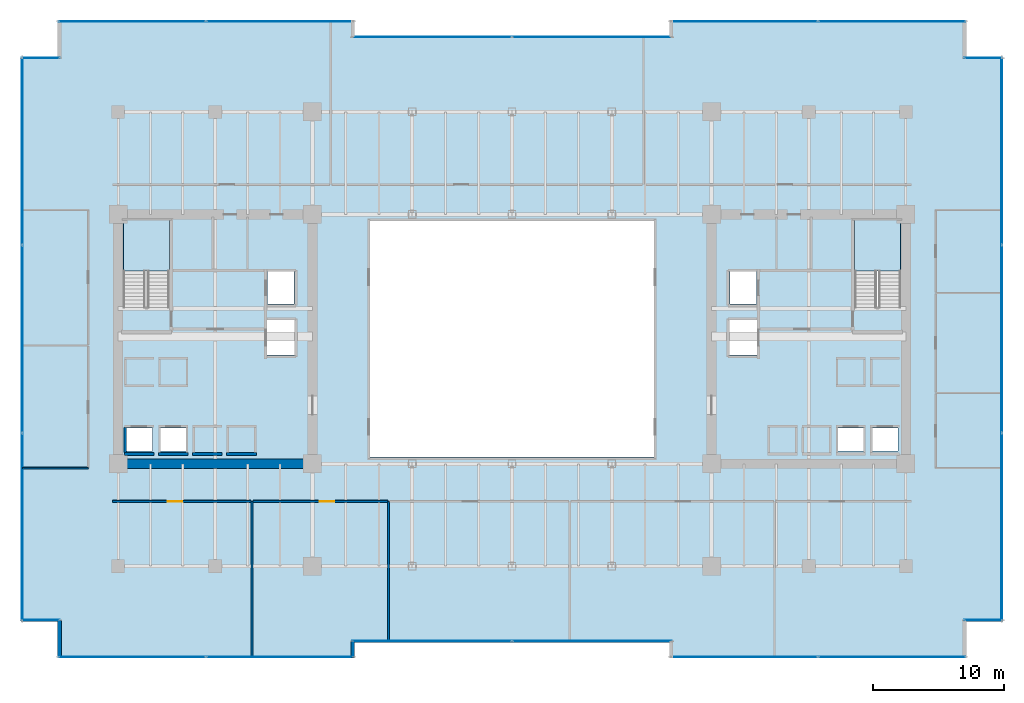
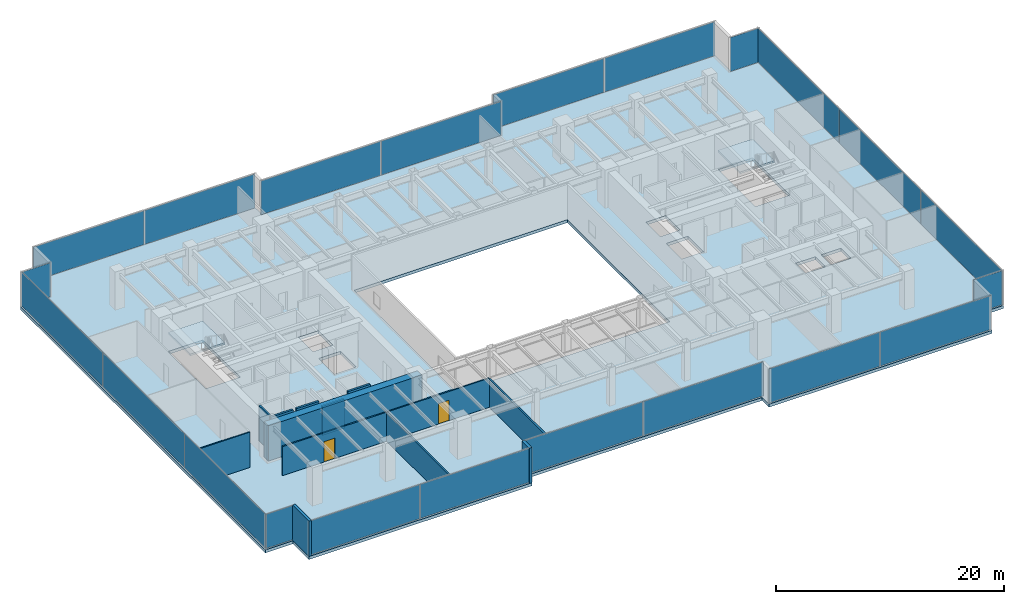
# One storey, part 28 of 35: 22 plates, 13 walls, 3 slabs, 2 doors, 2 openings, 14 elements without a shape of their own.
"""IFC4 building model written with IfcOpenShell, lengths in metres."""

from ifc_helpers import new_model, si_unit, direction, frame, frame_2d, origin, origin_2d, place, context, subcontext, project, spatial, polyline, rectangle, outline, extrude, source, transform, mapped, material, layer, layer_set, type_object, type_shapes, element, fill, aggregate, save


model = new_model("IFC4")

# Units and contexts
model_context = context("Model", 3, precision=1e-05, world=origin(), true_north=direction((0.0, 1.0)))
body_context = subcontext(model_context, "Body", "Model", "MODEL_VIEW")
ifc_project = project(units=[si_unit("LENGTHUNIT", "METRE"), si_unit("AREAUNIT", "SQUARE_METRE"), si_unit("VOLUMEUNIT", "CUBIC_METRE"), si_unit("PLANEANGLEUNIT", "RADIAN"), si_unit("MASSUNIT", "GRAM", prefix="KILO")], contexts=[model_context])

# Site, building, storey
site_placement = place(None, origin())
site = spatial("IfcSite", under=ifc_project, at=site_placement, CompositionType="ELEMENT")
building_placement = place(site_placement, origin())
building = spatial("IfcBuilding", under=site, at=building_placement, Name="Haelvirn Gate Laboratories", CompositionType="ELEMENT")
storey_placement = place(building_placement, frame((0.0, 0.0, 86.699951171875)))
storey = spatial("IfcBuildingStorey", under=building, at=storey_placement, Name="L21", CompositionType="ELEMENT", Elevation=86.699951171875)

# Stair, slab
ifc_material_1 = material(Name="Concrete C40/50", Category="concrete")
stair_type = type_object("IfcStairType", Name="ST-DOG-1650-R22", PredefinedType="HALF_TURN_STAIR", material=ifc_material_1)
stair_1_placement = place(storey_placement, origin())
stair_1 = element("IfcStair", 1, at=stair_1_placement, inside=storey, type_object=stair_type, Name="L21 Escape Stair ST1", PredefinedType="HALF_TURN_STAIR")
ifc_layer_1 = layer(ifc_material_1, 0.199951171875, Name="SL-STAIR-LND")
ifc_layer_set_1 = layer_set([ifc_layer_1], Name="Concrete C40/50")
slab_type_1 = type_object("IfcSlabType", Name="SL-STAIR-LND", PredefinedType="LANDING", material=ifc_layer_set_1)
slab_1_placement = place(storey_placement, frame((0.0, 0.0, 1.85009765625)))
slab_1 = element("IfcSlab", 2, at=slab_1_placement, type_object=slab_type_1, Name="ST1 landing 1", PredefinedType="LANDING", context=body_context, shape_type="SweptSolid", body=[
    extrude(outline(polyline([(11.300048828125, 29.5), (11.300048828125, 33.35009765625), (7.800048828125, 33.35009765625), (7.800048828125, 29.5), (11.300048828125, 29.5)])), origin(), (0.0, 0.0, 1.0), 0.199951171875),
])
aggregate(stair_1, [slab_1])

stair_2_placement = place(storey_placement, origin())
stair_2 = element("IfcStair", 3, at=stair_2_placement, inside=storey, type_object=stair_type, Name="L21 Escape Stair ST2", PredefinedType="HALF_TURN_STAIR")
slab_2_placement = place(storey_placement, frame((0.0, 0.0, 1.85009765625)))
slab_2 = element("IfcSlab", 4, at=slab_2_placement, type_object=slab_type_1, Name="ST2 landing 1", PredefinedType="LANDING", context=body_context, shape_type="SweptSolid", body=[
    extrude(outline(polyline([(67.0, 29.5), (67.0, 33.35009765625), (63.5, 33.35009765625), (63.5, 29.5), (67.0, 29.5)])), origin(), (0.0, 0.0, 1.0), 0.199951171875),
])
aggregate(stair_2, [slab_2])

# Slab
ifc_material_2 = material(Name="Concrete C50/60", Category="concrete")
ifc_layer_2 = layer(ifc_material_2, 0.320068359375, Name="SL-Z1-320")
ifc_layer_set_2 = layer_set([ifc_layer_2], Name="Concrete C50/60")
slab_type_2 = type_object("IfcSlabType", Name="SL-Z1-320", PredefinedType="FLOOR", material=ifc_layer_set_2)
slab_3_placement = place(storey_placement, frame((0.0, 0.0, -0.320068359375)))
element("IfcSlab", 5, at=slab_3_placement, inside=storey, type_object=slab_type_2, Name="L21 Structural Slab MAIN", PredefinedType="FLOOR", context=body_context, shape_type="SweptSolid", body=[
    extrude(outline(polyline([(2.800048828125, 0.0), (25.39990234375, 0.0), (25.39990234375, 1.199951171875), (49.39990234375, 1.199951171875), (49.39990234375, 0.0), (72.0, 0.0), (72.0, 2.800048828125), (74.800048828125, 2.800048828125), (74.800048828125, 45.800048828125), (72.0, 45.800048828125), (72.0, 48.60009765625), (49.39990234375, 48.60009765625), (49.39990234375, 47.39990234375), (25.39990234375, 47.39990234375), (25.39990234375, 48.60009765625), (2.800048828125, 48.60009765625), (2.800048828125, 45.800048828125), (0.0, 45.800048828125), (0.0, 2.800048828125), (2.800048828125, 2.800048828125), (2.800048828125, 0.0)]), holes=[polyline([(26.60009765625, 15.300048828125), (48.199951171875, 15.300048828125), (48.199951171875, 33.300048828125), (26.60009765625, 33.300048828125), (26.60009765625, 15.300048828125)]), polyline([(11.300048828125, 26.780029296875), (11.300048828125, 33.35009765625), (7.800048828125, 33.35009765625), (7.800048828125, 26.780029296875), (11.300048828125, 26.780029296875)]), polyline([(67.0, 26.780029296875), (67.0, 33.35009765625), (63.5, 33.35009765625), (63.5, 26.780029296875), (67.0, 26.780029296875)]), polyline([(7.989990234375, 15.77001953125), (10.010009765625, 15.77001953125), (10.010009765625, 17.510009765625), (7.989990234375, 17.510009765625), (7.989990234375, 15.77001953125)]), polyline([(10.590087890625, 15.77001953125), (12.610107421875, 15.77001953125), (12.610107421875, 17.510009765625), (10.590087890625, 17.510009765625), (10.590087890625, 15.77001953125)]), polyline([(18.7900390625, 26.969970703125), (20.81005859375, 26.969970703125), (20.81005859375, 29.510009765625), (18.7900390625, 29.510009765625), (18.7900390625, 26.969970703125)]), polyline([(18.68994140625, 23.070068359375), (20.909912109375, 23.070068359375), (20.909912109375, 25.81005859375), (18.68994140625, 25.81005859375), (18.68994140625, 23.070068359375)]), polyline([(64.7900390625, 15.77001953125), (66.81005859375, 15.77001953125), (66.81005859375, 17.510009765625), (64.7900390625, 17.510009765625), (64.7900390625, 15.77001953125)]), polyline([(62.18994140625, 15.77001953125), (64.2099609375, 15.77001953125), (64.2099609375, 17.510009765625), (62.18994140625, 17.510009765625), (62.18994140625, 15.77001953125)]), polyline([(53.989990234375, 26.969970703125), (56.010009765625, 26.969970703125), (56.010009765625, 29.510009765625), (53.989990234375, 29.510009765625), (53.989990234375, 26.969970703125)]), polyline([(53.889892578125, 23.070068359375), (56.110107421875, 23.070068359375), (56.110107421875, 25.81005859375), (53.889892578125, 25.81005859375), (53.889892578125, 23.070068359375)])]), origin(), (0.0, 0.0, 1.0), 0.320068359375),
])

# Curtain wall, plates
ifc_material_3 = material(Name="Anodised bronze unitised aluminium & triple low-E glass", Category="aluminium")
ifc_layer_3 = layer(ifc_material_3, 0.18408203125, Name="CW-SYS-2")
ifc_layer_set_3 = layer_set([ifc_layer_3], Name="Anodised bronze unitised aluminium & triple low-E glass")
curtain_wall_type_1 = type_object("IfcCurtainWallType", Name="CW-SYS-2", PredefinedType="NOTDEFINED", material=ifc_layer_set_3)
curtain_wall_1_placement = place(storey_placement, origin())
curtain_wall_1 = element("IfcCurtainWall", 6, at=curtain_wall_1_placement, inside=storey, type_object=curtain_wall_type_1, Name="L21 Unitised Curtain Wall CW-L21-P0-E02-1", PredefinedType="NOTDEFINED")
ifc_material_4 = material(Name="Bronze solar-control triple low-E IGU 44 mm", Category="glass")
ifc_layer_4 = layer(ifc_material_4, 0.0439453125, Name="CWP-IGU-44")
ifc_layer_set_4 = layer_set([ifc_layer_4], Name="Bronze solar-control triple low-E IGU 44 mm")
plate_type_1 = type_object("IfcPlateType", Name="CWP-IGU-44", PredefinedType="CURTAIN_PANEL", material=ifc_layer_set_4)
shared_shape_1 = source(origin(), body_context, "Body", "SweptSolid", [
    extrude(rectangle(XDim=12.12744140625, YDim=0.0439453125, at=origin_2d()), origin(), (0.0, 0.0, 1.0), 3.639892578125),
])
plate_1_placement = place(storey_placement, frame((31.298828125, 1.300048828125, 0.0703125), z_axis=(0.0, 0.0, 1.0), x_axis=(1.0, 0.0, 0.0)))
plate_1 = element("IfcPlate", 7, at=plate_1_placement, type_object=plate_type_1, Name="CW2 panel 1.1", PredefinedType="CURTAIN_PANEL", context=body_context, shape_type="MappedRepresentation", body=[
    mapped(shared_shape_1, transform((0.0, 0.0, 0.0), scale=1.0)),
])
plate_2_placement = place(storey_placement, frame((43.501220703125, 1.300048828125, 0.0703125), z_axis=(0.0, 0.0, 1.0), x_axis=(1.0, 0.0, 0.0)))
plate_2 = element("IfcPlate", 8, at=plate_2_placement, type_object=plate_type_1, Name="CW2 panel 2.1", PredefinedType="CURTAIN_PANEL", context=body_context, shape_type="MappedRepresentation", body=[
    mapped(shared_shape_1, transform((0.0, 0.0, 0.0), scale=1.0)),
])
aggregate(curtain_wall_1, [plate_1, plate_2])

curtain_wall_2_placement = place(storey_placement, origin())
curtain_wall_2 = element("IfcCurtainWall", 9, at=curtain_wall_2_placement, inside=storey, type_object=curtain_wall_type_1, Name="L21 Unitised Curtain Wall CW-L21-P0-E12-1", PredefinedType="NOTDEFINED")
plate_3_placement = place(storey_placement, frame((31.298828125, 47.300048828125, 0.0703125), z_axis=(0.0, 0.0, 1.0), x_axis=(1.0, 0.0, 0.0)))
plate_3 = element("IfcPlate", 10, at=plate_3_placement, type_object=plate_type_1, Name="CW2 panel 1.1", PredefinedType="CURTAIN_PANEL", context=body_context, shape_type="MappedRepresentation", body=[
    mapped(shared_shape_1, transform((0.0, 0.0, 0.0), scale=1.0)),
])
plate_4_placement = place(storey_placement, frame((43.501220703125, 47.300048828125, 0.0703125), z_axis=(0.0, 0.0, 1.0), x_axis=(1.0, 0.0, 0.0)))
plate_4 = element("IfcPlate", 11, at=plate_4_placement, type_object=plate_type_1, Name="CW2 panel 2.1", PredefinedType="CURTAIN_PANEL", context=body_context, shape_type="MappedRepresentation", body=[
    mapped(shared_shape_1, transform((0.0, 0.0, 0.0), scale=1.0)),
])
aggregate(curtain_wall_2, [plate_3, plate_4])

curtain_wall_3_placement = place(storey_placement, origin())
curtain_wall_3 = element("IfcCurtainWall", 12, at=curtain_wall_3_placement, inside=storey, type_object=curtain_wall_type_1, Name="L21 Unitised Curtain Wall CW-L21-P0-E00-1", PredefinedType="NOTDEFINED")
shared_shape_2 = source(origin(), body_context, "Body", "SweptSolid", [
    extrude(rectangle(XDim=11.1875, YDim=0.0439453125, at=origin_2d()), origin(), (0.0, 0.0, 1.0), 3.639892578125),
])
plate_5_placement = place(storey_placement, frame((8.46875, 0.10009765625, 0.0703125), z_axis=(0.0, 0.0, 1.0), x_axis=(1.0, 0.0, 0.0)))
plate_5 = element("IfcPlate", 13, at=plate_5_placement, type_object=plate_type_1, Name="CW2 panel 1.1", PredefinedType="CURTAIN_PANEL", context=body_context, shape_type="MappedRepresentation", body=[
    mapped(shared_shape_2, transform((0.0, 0.0, 0.0), scale=1.0)),
])
plate_6_placement = place(storey_placement, frame((19.731201171875, 0.10009765625, 0.0703125), z_axis=(0.0, 0.0, 1.0), x_axis=(1.0, 0.0, 0.0)))
plate_6 = element("IfcPlate", 14, at=plate_6_placement, type_object=plate_type_1, Name="CW2 panel 2.1", PredefinedType="CURTAIN_PANEL", context=body_context, shape_type="MappedRepresentation", body=[
    mapped(shared_shape_2, transform((0.0, 0.0, 0.0), scale=1.0)),
])
aggregate(curtain_wall_3, [plate_5, plate_6])

curtain_wall_4_placement = place(storey_placement, origin())
curtain_wall_4 = element("IfcCurtainWall", 15, at=curtain_wall_4_placement, inside=storey, type_object=curtain_wall_type_1, Name="L21 Unitised Curtain Wall CW-L21-P0-E04-1", PredefinedType="NOTDEFINED")
plate_7_placement = place(storey_placement, frame((55.06884765625, 0.10009765625, 0.0703125), z_axis=(0.0, 0.0, 1.0), x_axis=(1.0, 0.0, 0.0)))
plate_7 = element("IfcPlate", 16, at=plate_7_placement, type_object=plate_type_1, Name="CW2 panel 1.1", PredefinedType="CURTAIN_PANEL", context=body_context, shape_type="MappedRepresentation", body=[
    mapped(shared_shape_2, transform((0.0, 0.0, 0.0), scale=1.0)),
])
plate_8_placement = place(storey_placement, frame((66.331298828125, 0.10009765625, 0.0703125), z_axis=(0.0, 0.0, 1.0), x_axis=(1.0, 0.0, 0.0)))
plate_8 = element("IfcPlate", 17, at=plate_8_placement, type_object=plate_type_1, Name="CW2 panel 2.1", PredefinedType="CURTAIN_PANEL", context=body_context, shape_type="MappedRepresentation", body=[
    mapped(shared_shape_2, transform((0.0, 0.0, 0.0), scale=1.0)),
])
aggregate(curtain_wall_4, [plate_7, plate_8])

curtain_wall_5_placement = place(storey_placement, origin())
curtain_wall_5 = element("IfcCurtainWall", 18, at=curtain_wall_5_placement, inside=storey, type_object=curtain_wall_type_1, Name="L21 Unitised Curtain Wall CW-L21-P0-E10-1", PredefinedType="NOTDEFINED")
plate_9_placement = place(storey_placement, frame((55.06884765625, 48.5, 0.0703125), z_axis=(0.0, 0.0, 1.0), x_axis=(1.0, 0.0, 0.0)))
plate_9 = element("IfcPlate", 19, at=plate_9_placement, type_object=plate_type_1, Name="CW2 panel 1.1", PredefinedType="CURTAIN_PANEL", context=body_context, shape_type="MappedRepresentation", body=[
    mapped(shared_shape_2, transform((0.0, 0.0, 0.0), scale=1.0)),
])
plate_10_placement = place(storey_placement, frame((66.331298828125, 48.5, 0.0703125), z_axis=(0.0, 0.0, 1.0), x_axis=(1.0, 0.0, 0.0)))
plate_10 = element("IfcPlate", 20, at=plate_10_placement, type_object=plate_type_1, Name="CW2 panel 2.1", PredefinedType="CURTAIN_PANEL", context=body_context, shape_type="MappedRepresentation", body=[
    mapped(shared_shape_2, transform((0.0, 0.0, 0.0), scale=1.0)),
])
aggregate(curtain_wall_5, [plate_9, plate_10])

curtain_wall_6_placement = place(storey_placement, origin())
curtain_wall_6 = element("IfcCurtainWall", 21, at=curtain_wall_6_placement, inside=storey, type_object=curtain_wall_type_1, Name="L21 Unitised Curtain Wall CW-L21-P0-E14-1", PredefinedType="NOTDEFINED")
plate_11_placement = place(storey_placement, frame((8.46875, 48.5, 0.0703125), z_axis=(0.0, 0.0, 1.0), x_axis=(1.0, 0.0, 0.0)))
plate_11 = element("IfcPlate", 22, at=plate_11_placement, type_object=plate_type_1, Name="CW2 panel 1.1", PredefinedType="CURTAIN_PANEL", context=body_context, shape_type="MappedRepresentation", body=[
    mapped(shared_shape_2, transform((0.0, 0.0, 0.0), scale=1.0)),
])
plate_12_placement = place(storey_placement, frame((19.731201171875, 48.5, 0.0703125), z_axis=(0.0, 0.0, 1.0), x_axis=(1.0, 0.0, 0.0)))
plate_12 = element("IfcPlate", 23, at=plate_12_placement, type_object=plate_type_1, Name="CW2 panel 2.1", PredefinedType="CURTAIN_PANEL", context=body_context, shape_type="MappedRepresentation", body=[
    mapped(shared_shape_2, transform((0.0, 0.0, 0.0), scale=1.0)),
])
aggregate(curtain_wall_6, [plate_11, plate_12])

# Curtain wall, plate
ifc_layer_5 = layer(ifc_material_3, 0.181884765625, Name="CW-SYS-5")
ifc_layer_set_5 = layer_set([ifc_layer_5], Name="Anodised bronze unitised aluminium & triple low-E glass")
curtain_wall_type_2 = type_object("IfcCurtainWallType", Name="CW-SYS-5", PredefinedType="NOTDEFINED", material=ifc_layer_set_5)
curtain_wall_7_placement = place(storey_placement, origin())
curtain_wall_7 = element("IfcCurtainWall", 24, at=curtain_wall_7_placement, inside=storey, type_object=curtain_wall_type_2, Name="L21 Unitised Curtain Wall CW-L21-P0-E06-1", PredefinedType="NOTDEFINED")
ifc_material_5 = material(Name="Clear low-iron notched-corner triple IGU 42 mm", Category="glass")
ifc_layer_6 = layer(ifc_material_5, 0.0419921875, Name="CWP-NTC-42")
ifc_layer_set_6 = layer_set([ifc_layer_6], Name="Clear low-iron notched-corner triple IGU 42 mm")
plate_type_2 = type_object("IfcPlateType", Name="CWP-NTC-42", PredefinedType="CURTAIN_PANEL", material=ifc_layer_set_6)
shared_shape_3 = source(origin(), body_context, "Body", "SweptSolid", [
    extrude(rectangle(XDim=2.8798828125, YDim=0.0419921875, at=origin_2d()), origin(), (0.0, 0.0, 1.0), 3.64990234375),
])
type_shapes(plate_type_2, [shared_shape_3])
plate_13_placement = place(storey_placement, frame((73.280029296875, 2.89990234375, 0.065185546875), z_axis=(0.0, 0.0, 1.0), x_axis=(1.0, 0.0, 0.0)))
plate_13 = element("IfcPlate", 25, at=plate_13_placement, type_object=plate_type_2, Name="CW5 panel 1.1", PredefinedType="CURTAIN_PANEL", context=body_context, shape_type="MappedRepresentation", body=[
    mapped(shared_shape_3, transform((0.0, 0.0, 0.0), scale=1.0)),
])
aggregate(curtain_wall_7, [plate_13])

curtain_wall_8_placement = place(storey_placement, origin())
curtain_wall_8 = element("IfcCurtainWall", 26, at=curtain_wall_8_placement, inside=storey, type_object=curtain_wall_type_2, Name="L21 Unitised Curtain Wall CW-L21-P0-E08-1", PredefinedType="NOTDEFINED")
plate_14_placement = place(storey_placement, frame((73.280029296875, 45.699951171875, 0.065185546875), z_axis=(0.0, 0.0, 1.0), x_axis=(1.0, 0.0, 0.0)))
plate_14 = element("IfcPlate", 27, at=plate_14_placement, type_object=plate_type_2, Name="CW5 panel 1.1", PredefinedType="CURTAIN_PANEL", context=body_context, shape_type="MappedRepresentation", body=[
    mapped(shared_shape_3, transform((0.0, 0.0, 0.0), scale=1.0)),
])
aggregate(curtain_wall_8, [plate_14])

curtain_wall_9_placement = place(storey_placement, origin())
curtain_wall_9 = element("IfcCurtainWall", 28, at=curtain_wall_9_placement, inside=storey, type_object=curtain_wall_type_2, Name="L21 Unitised Curtain Wall CW-L21-P0-E16-1", PredefinedType="NOTDEFINED")
plate_15_placement = place(storey_placement, frame((1.52001953125, 45.699951171875, 0.065185546875), z_axis=(0.0, 0.0, 1.0), x_axis=(1.0, 0.0, 0.0)))
plate_15 = element("IfcPlate", 29, at=plate_15_placement, type_object=plate_type_2, Name="CW5 panel 1.1", PredefinedType="CURTAIN_PANEL", context=body_context, shape_type="MappedRepresentation", body=[
    mapped(shared_shape_3, transform((0.0, 0.0, 0.0), scale=1.0)),
])
aggregate(curtain_wall_9, [plate_15])

curtain_wall_10_placement = place(storey_placement, origin())
curtain_wall_10 = element("IfcCurtainWall", 30, at=curtain_wall_10_placement, inside=storey, type_object=curtain_wall_type_2, Name="L21 Unitised Curtain Wall CW-L21-P0-E18-1", PredefinedType="NOTDEFINED")
plate_16_placement = place(storey_placement, frame((1.52001953125, 2.89990234375, 0.065185546875), z_axis=(0.0, 0.0, 1.0), x_axis=(1.0, 0.0, 0.0)))
plate_16 = element("IfcPlate", 31, at=plate_16_placement, type_object=plate_type_2, Name="CW5 panel 1.1", PredefinedType="CURTAIN_PANEL", context=body_context, shape_type="MappedRepresentation", body=[
    mapped(shared_shape_3, transform((0.0, 0.0, 0.0), scale=1.0)),
])
aggregate(curtain_wall_10, [plate_16])

# Curtain wall, plates
curtain_wall_11_placement = place(storey_placement, origin())
curtain_wall_11 = element("IfcCurtainWall", 32, at=curtain_wall_11_placement, inside=storey, type_object=curtain_wall_type_1, Name="L21 Unitised Curtain Wall CW-L21-P0-E07", PredefinedType="NOTDEFINED")
shared_shape_4 = source(origin(), body_context, "Body", "SweptSolid", [
    extrude(rectangle(XDim=14.220947265625, YDim=0.0439453125, at=origin_2d()), origin(), (0.0, 0.0, 1.0), 3.639892578125),
])
plate_17_placement = place(storey_placement, frame((74.699951171875, 9.9853515625, 0.0703125), z_axis=(0.0, 0.0, 1.0), x_axis=(0.0, 1.0, 0.0)))
plate_17 = element("IfcPlate", 33, at=plate_17_placement, type_object=plate_type_1, Name="CW2 panel 1.1", PredefinedType="CURTAIN_PANEL", context=body_context, shape_type="MappedRepresentation", body=[
    mapped(shared_shape_4, transform((0.0, 0.0, 0.0), scale=1.0)),
])
plate_18_placement = place(storey_placement, frame((74.699951171875, 38.614501953125, 0.0703125), z_axis=(0.0, 0.0, 1.0), x_axis=(0.0, 1.0, 0.0)))
plate_18 = element("IfcPlate", 34, at=plate_18_placement, type_object=plate_type_1, Name="CW2 panel 3.1", PredefinedType="CURTAIN_PANEL", context=body_context, shape_type="MappedRepresentation", body=[
    mapped(shared_shape_4, transform((0.0, 0.0, 0.0), scale=1.0)),
])

curtain_wall_12_placement = place(storey_placement, origin())
curtain_wall_12 = element("IfcCurtainWall", 35, at=curtain_wall_12_placement, inside=storey, type_object=curtain_wall_type_1, Name="L21 Unitised Curtain Wall CW-L21-P0-E17", PredefinedType="NOTDEFINED")
plate_19_placement = place(storey_placement, frame((0.10009765625, 38.614501953125, 0.0703125), z_axis=(0.0, 0.0, 1.0), x_axis=(0.0, -1.0, 0.0)))
plate_19 = element("IfcPlate", 36, at=plate_19_placement, type_object=plate_type_1, Name="CW2 panel 1.1", PredefinedType="CURTAIN_PANEL", context=body_context, shape_type="MappedRepresentation", body=[
    mapped(shared_shape_4, transform((0.0, 0.0, 0.0), scale=1.0)),
])
plate_20_placement = place(storey_placement, frame((0.10009765625, 9.9853515625, 0.0703125), z_axis=(0.0, 0.0, 1.0), x_axis=(0.0, -1.0, 0.0)))
plate_20 = element("IfcPlate", 37, at=plate_20_placement, type_object=plate_type_1, Name="CW2 panel 3.1", PredefinedType="CURTAIN_PANEL", context=body_context, shape_type="MappedRepresentation", body=[
    mapped(shared_shape_4, transform((0.0, 0.0, 0.0), scale=1.0)),
])

# Plate
shared_shape_5 = source(origin(), body_context, "Body", "SweptSolid", [
    extrude(rectangle(XDim=14.25830078125, YDim=0.0439453125, at=origin_2d()), origin(), (0.0, 0.0, 1.0), 3.639892578125),
])
type_shapes(plate_type_1, [shared_shape_1, shared_shape_2, shared_shape_4, shared_shape_5])
plate_21_placement = place(storey_placement, frame((74.699951171875, 24.300048828125, 0.0703125), z_axis=(0.0, 0.0, 1.0), x_axis=(0.0, 1.0, 0.0)))
plate_21 = element("IfcPlate", 38, at=plate_21_placement, type_object=plate_type_1, Name="CW2 panel 2.1", PredefinedType="CURTAIN_PANEL", context=body_context, shape_type="MappedRepresentation", body=[
    mapped(shared_shape_5, transform((0.0, 0.0, 0.0), scale=1.0)),
])

aggregate(curtain_wall_11, [plate_17, plate_21, plate_18])

plate_22_placement = place(storey_placement, frame((0.10009765625, 24.300048828125, 0.0703125), z_axis=(0.0, 0.0, 1.0), x_axis=(0.0, -1.0, 0.0)))
plate_22 = element("IfcPlate", 39, at=plate_22_placement, type_object=plate_type_1, Name="CW2 panel 2.1", PredefinedType="CURTAIN_PANEL", context=body_context, shape_type="MappedRepresentation", body=[
    mapped(shared_shape_5, transform((0.0, 0.0, 0.0), scale=1.0)),
])

aggregate(curtain_wall_12, [plate_19, plate_22, plate_20])

# Walls
ifc_material_6 = material(Name="Thermally-broken bronze aluminium rainscreen & mineral wool", Category="aluminium")
ifc_layer_7 = layer(ifc_material_6, 0.280029296875, Name="EW-TERR-280")
ifc_layer_set_7 = layer_set([ifc_layer_7], Name="Thermally-broken bronze aluminium rainscreen & mineral wool")
wall_type_1 = type_object("IfcWallType", Name="EW-TERR-280", PredefinedType="STANDARD", material=ifc_layer_set_7)
wall_1_placement = place(storey_placement, frame((25.260009765625, 0.0, 0.0), z_axis=(0.0, 0.0, 1.0), x_axis=(0.0, 1.0, 0.0)))
element("IfcWall", 40, at=wall_1_placement, inside=storey, type_object=wall_type_1, Name="L21 Atrium Recess Bronze Return Wall 01", PredefinedType="STANDARD", context=body_context, shape_type="SweptSolid", body=[
    extrude(rectangle(XDim=1.2880859375, YDim=0.280029296875, at=frame_2d((0.64404296875, 0.0))), origin(), (0.0, 0.0, 1.0), 3.780029296875),
])
wall_2_placement = place(storey_placement, frame((2.93994140625, 2.887939453125, 0.0), z_axis=(0.0, 0.0, 1.0), x_axis=(0.0, -1.0, 0.0)))
element("IfcWall", 41, at=wall_2_placement, inside=storey, type_object=wall_type_1, Name="L21 Atrium Recess Bronze Return Wall 19", PredefinedType="STANDARD", context=body_context, shape_type="SweptSolid", body=[
    extrude(rectangle(XDim=2.887939453125, YDim=0.280029296875, at=frame_2d((1.44384765625, 0.0))), origin(), (0.0, 0.0, 1.0), 3.780029296875),
])
ifc_material_7 = material(Name="Double-layer acoustic gypsum laboratory partition", Category="gypsum")
ifc_layer_8 = layer(ifc_material_7, 0.159912109375, Name="IW-ACOUST-160")
ifc_layer_set_8 = layer_set([ifc_layer_8], Name="Double-layer acoustic gypsum laboratory partition")
wall_type_2 = type_object("IfcWallType", Name="IW-ACOUST-160", PredefinedType="PARTITIONING", material=ifc_layer_set_8)
wall_3_placement = place(storey_placement, frame((17.60009765625, 0.110107421875, 0.0), z_axis=(0.0, 0.0, 1.0), x_axis=(0.0, 1.0, 0.0)))
element("IfcWall", 42, at=wall_3_placement, inside=storey, type_object=wall_type_2, Name="L21 Interior Wall IW-L21-SDIV-01", PredefinedType="PARTITIONING", context=body_context, shape_type="SweptSolid", body=[
    extrude(rectangle(XDim=11.829833984375, YDim=0.159912109375, at=frame_2d((5.9150390625, 0.0))), origin(), (0.0, 0.0, 1.0), 3.01513671875),
])
wall_4_placement = place(storey_placement, frame((28.0, 1.31005859375, 0.0), z_axis=(0.0, 0.0, 1.0), x_axis=(0.0, 1.0, 0.0)))
element("IfcWall", 43, at=wall_4_placement, inside=storey, type_object=wall_type_2, Name="L21 Interior Wall IW-L21-SDIV-02", PredefinedType="PARTITIONING", context=body_context, shape_type="SweptSolid", body=[
    extrude(rectangle(XDim=10.6298828125, YDim=0.159912109375, at=frame_2d((5.31494140625, 0.0))), origin(), (0.0, 0.0, 1.0), 3.01513671875),
])
ifc_material_8 = material(Name="Lightweight acoustic gypsum board partition", Category="gypsum")
ifc_layer_9 = layer(ifc_material_8, 0.1201171875, Name="IW-PART-120")
ifc_layer_set_9 = layer_set([ifc_layer_9], Name="Lightweight acoustic gypsum board partition")
wall_type_3 = type_object("IfcWallType", Name="IW-PART-120", PredefinedType="PARTITIONING", material=ifc_layer_set_9)
wall_5_placement = place(storey_placement, frame((0.110107421875, 14.465087890625, 0.0), z_axis=(0.0, 0.0, 1.0), x_axis=(1.0, 0.0, 0.0)))
element("IfcWall", 44, at=wall_5_placement, inside=storey, type_object=wall_type_3, Name="L21 Interior Wall IW-L21-WCAP-S", PredefinedType="PARTITIONING", context=body_context, shape_type="SweptSolid", body=[
    extrude(rectangle(XDim=5.019775390625, YDim=0.1201171875, at=frame_2d((2.509765625, 0.0))), origin(), (0.0, 0.0, 1.0), 3.780029296875),
])

# Wall, opening, door
ifc_material_9 = material(Name="Acoustic mineral-wool gypsum board partition", Category="gypsum")
ifc_layer_10 = layer(ifc_material_9, 0.139892578125, Name="IW-PART-140")
ifc_layer_set_10 = layer_set([ifc_layer_10], Name="Acoustic mineral-wool gypsum board partition")
wall_type_4 = type_object("IfcWallType", Name="IW-PART-140", PredefinedType="PARTITIONING", material=ifc_layer_set_10)
wall_6_placement = place(storey_placement, frame((6.97998046875, 11.93994140625, 0.0), z_axis=(0.0, 0.0, 1.0), x_axis=(1.0, 0.0, 0.0)))
wall_6 = element("IfcWall", 45, at=wall_6_placement, inside=storey, type_object=wall_type_4, Name="L21 Interior Wall IW-L21-SCORR-01", PredefinedType="PARTITIONING", context=body_context, shape_type="SweptSolid", body=[
    extrude(rectangle(XDim=10.5400390625, YDim=0.139892578125, at=frame_2d((5.27001953125, 0.0))), origin(), (0.0, 0.0, 1.0), 3.114990234375),
])
opening_1_placement = place(wall_6_placement, frame((4.195556640625, 0.0, 0.0)))
opening_1 = element("IfcOpeningElement", 46, at=opening_1_placement, cuts=wall_6, Name="Opening D1", PredefinedType="OPENING", context=body_context, shape_type="SweptSolid", body=[
    extrude(rectangle(XDim=1.10009765625, YDim=2.179931640625, at=frame_2d((0.550048828125, 1.08984375))), frame((0.0, 0.080078125, 0.0), z_axis=(0.0, -1.0, 0.0), x_axis=(1.0, 0.0, 0.0)), (0.0, 0.0, 1.0), 0.159912109375),
])
ifc_material_10 = material(Name="Vision-panel acoustic solid-core timber lab door", Category="wood")
door_type = type_object("IfcDoorType", Name="DR-LAB-1100", OperationType="NOTDEFINED", PredefinedType="DOOR", material=ifc_material_10)
shared_shape_6 = source(origin(), body_context, "Body", "SweptSolid", [
    extrude(rectangle(XDim=1.10009765625, YDim=2.179931640625, at=frame_2d((0.550048828125, 1.08984375))), frame((0.0, 0.02490234375, 0.0), z_axis=(0.0, -1.0, 0.0), x_axis=(1.0, 0.0, 0.0)), (0.0, 0.0, 1.0), 0.050048828125),
])
type_shapes(door_type, [shared_shape_6])
door_1_placement = place(opening_1_placement, origin())
door_1 = element("IfcDoor", 47, at=door_1_placement, inside=storey, type_object=door_type, Name="L21 Bioinformatics Dry-Lab Workspace Door S1", OperationType="SINGLE_SWING_RIGHT", OverallHeight=2.179931640625, OverallWidth=1.10009765625, PredefinedType="DOOR", context=body_context, shape_type="MappedRepresentation", body=[
    mapped(shared_shape_6, transform((0.0, 0.0, 0.0), scale=1.0)),
])
fill(opening_1, door_1)

wall_7_placement = place(storey_placement, frame((17.679931640625, 11.93994140625, 0.0), z_axis=(0.0, 0.0, 1.0), x_axis=(1.0, 0.0, 0.0)))
wall_7 = element("IfcWall", 48, at=wall_7_placement, inside=storey, type_object=wall_type_4, Name="L21 Interior Wall IW-L21-SCORR-02", PredefinedType="PARTITIONING", context=body_context, shape_type="SweptSolid", body=[
    extrude(rectangle(XDim=10.239990234375, YDim=0.139892578125, at=frame_2d((5.1201171875, 0.0))), origin(), (0.0, 0.0, 1.0), 3.114990234375),
])
opening_2_placement = place(wall_7_placement, frame((5.076416015625, 0.0, 0.0)))
opening_2 = element("IfcOpeningElement", 49, at=opening_2_placement, cuts=wall_7, Name="Opening D1", PredefinedType="OPENING", context=body_context, shape_type="SweptSolid", body=[
    extrude(rectangle(XDim=1.10009765625, YDim=2.179931640625, at=frame_2d((0.550048828125, 1.08984375))), frame((0.0, 0.080078125, 0.0), z_axis=(0.0, -1.0, 0.0), x_axis=(1.0, 0.0, 0.0)), (0.0, 0.0, 1.0), 0.159912109375),
])
door_2_placement = place(opening_2_placement, origin())
door_2 = element("IfcDoor", 50, at=door_2_placement, inside=storey, type_object=door_type, Name="L21 Translational Data Office Door S2", OperationType="SINGLE_SWING_LEFT", OverallHeight=2.179931640625, OverallWidth=1.10009765625, PredefinedType="DOOR", context=body_context, shape_type="MappedRepresentation", body=[
    mapped(shared_shape_6, transform((0.0, 0.0, 0.0), scale=1.0)),
])
fill(opening_2, door_2)

# Walls
ifc_layer_11 = layer(ifc_material_1, 0.179931640625, Name="IW-SHAFT-180")
ifc_layer_set_11 = layer_set([ifc_layer_11], Name="Concrete C40/50")
wall_type_5 = type_object("IfcWallType", Name="IW-SHAFT-180", PredefinedType="SOLIDWALL", material=ifc_layer_set_11)
wall_8_placement = place(storey_placement, frame((7.949951171875, 15.64990234375, 0.0), z_axis=(0.0, 0.0, 1.0), x_axis=(0.0, 1.0, 0.0)))
element("IfcWall", 51, at=wall_8_placement, inside=storey, type_object=wall_type_5, Name="L21 Interior Wall IW-L21-PL1-SD", PredefinedType="SOLIDWALL", context=body_context, shape_type="SweptSolid", body=[
    extrude(rectangle(XDim=1.900146484375, YDim=0.179931640625, at=frame_2d((0.9501953125, 0.0))), origin(), (0.0, 0.0, 1.0), 3.780029296875),
])
ifc_layer_12 = layer(ifc_material_1, 0.199951171875, Name="IW-SHAFT-200")
ifc_layer_set_12 = layer_set([ifc_layer_12], Name="Concrete C40/50")
wall_type_6 = type_object("IfcWallType", Name="IW-SHAFT-200", PredefinedType="SOLIDWALL", material=ifc_layer_set_12)
wall_9_placement = place(storey_placement, frame((7.8701171875, 15.550048828125, 0.0), z_axis=(0.0, 0.0, 1.0), x_axis=(1.0, 0.0, 0.0)))
element("IfcWall", 52, at=wall_9_placement, inside=storey, type_object=wall_type_6, Name="L21 Interior Wall IW-L21-PL1-BK", PredefinedType="SOLIDWALL", context=body_context, shape_type="SweptSolid", body=[
    extrude(rectangle(XDim=2.259765625, YDim=0.199951171875, at=frame_2d((1.1298828125, 0.0))), origin(), (0.0, 0.0, 1.0), 3.780029296875),
])
wall_10_placement = place(storey_placement, frame((10.469970703125, 15.550048828125, 0.0), z_axis=(0.0, 0.0, 1.0), x_axis=(1.0, 0.0, 0.0)))
element("IfcWall", 53, at=wall_10_placement, inside=storey, type_object=wall_type_6, Name="L21 Interior Wall IW-L21-PL2-BK", PredefinedType="SOLIDWALL", context=body_context, shape_type="SweptSolid", body=[
    extrude(rectangle(XDim=2.260009765625, YDim=0.199951171875, at=frame_2d((1.1298828125, 0.0))), origin(), (0.0, 0.0, 1.0), 3.780029296875),
])
wall_11_placement = place(storey_placement, frame((13.070068359375, 15.550048828125, 0.0), z_axis=(0.0, 0.0, 1.0), x_axis=(1.0, 0.0, 0.0)))
element("IfcWall", 54, at=wall_11_placement, inside=storey, type_object=wall_type_6, Name="L21 Interior Wall IW-L21-PL5-BK", PredefinedType="SOLIDWALL", context=body_context, shape_type="SweptSolid", body=[
    extrude(rectangle(XDim=2.260009765625, YDim=0.199951171875, at=frame_2d((1.1298828125, 0.0))), origin(), (0.0, 0.0, 1.0), 3.114990234375),
])
wall_12_placement = place(storey_placement, frame((15.669921875, 15.550048828125, 0.0), z_axis=(0.0, 0.0, 1.0), x_axis=(1.0, 0.0, 0.0)))
element("IfcWall", 55, at=wall_12_placement, inside=storey, type_object=wall_type_6, Name="L21 Interior Wall IW-L21-PL6-BK", PredefinedType="SOLIDWALL", context=body_context, shape_type="SweptSolid", body=[
    extrude(rectangle(XDim=2.260009765625, YDim=0.199951171875, at=frame_2d((1.1298828125, 0.0))), origin(), (0.0, 0.0, 1.0), 3.780029296875),
])
ifc_material_11 = material(Name="Concrete C70/85", Category="concrete")
ifc_layer_13 = layer(ifc_material_11, 0.75, Name="SW-CORE-750")
ifc_layer_set_13 = layer_set([ifc_layer_13], Name="Concrete C70/85")
wall_type_7 = type_object("IfcWallType", Name="SW-CORE-750", PredefinedType="SHEAR", material=ifc_layer_set_13)
wall_13_placement = place(storey_placement, frame((7.02490234375, 14.800048828125, 0.0), z_axis=(0.0, 0.0, 1.0), x_axis=(1.0, 0.0, 0.0)))
element("IfcWall", 56, at=wall_13_placement, inside=storey, type_object=wall_type_7, Name="L21 W Core Shear Wall S", PredefinedType="SHEAR", context=body_context, shape_type="SweptSolid", body=[
    extrude(rectangle(XDim=15.550048828125, YDim=0.75, at=frame_2d((7.77490234375, 0.0))), origin(), (0.0, 0.0, 1.0), 3.780029296875),
])

save(model, "model.ifc")
